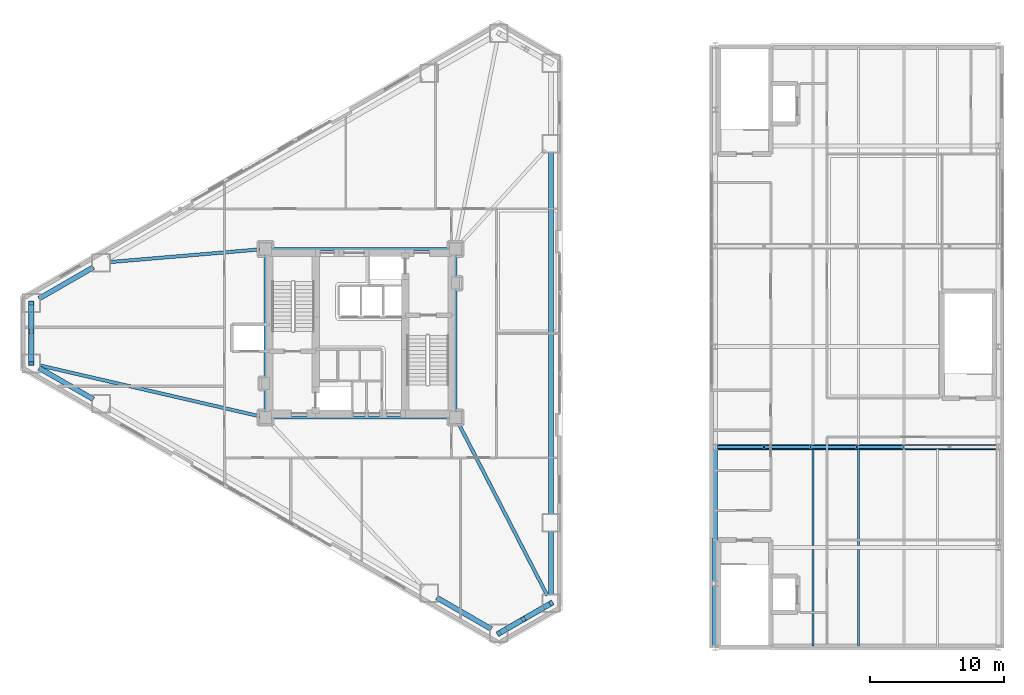
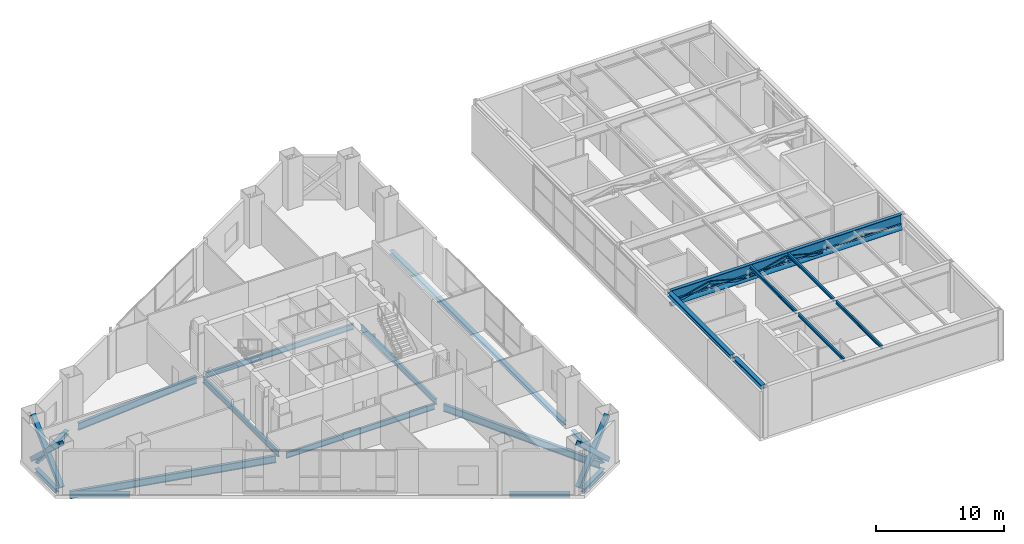
# One storey, part 6 of 27: 21 beams, 11 members.
"""IFC4 building model written with IfcOpenShell, lengths in metres."""

from ifc_helpers import new_model, si_unit, direction, frame, origin, origin_2d, place, context, subcontext, project, spatial, hollow_rectangle, hollow_circle, i_section, extrude, material, material_profile, profile_set, type_object, element, save


model = new_model("IFC4")

# Units and contexts
model_context = context("Model", 3, precision=1e-05, world=origin(), true_north=direction((0.0, 1.0)))
body_context = subcontext(model_context, "Body", "Model", "MODEL_VIEW")
ifc_project = project(units=[si_unit("LENGTHUNIT", "METRE"), si_unit("AREAUNIT", "SQUARE_METRE"), si_unit("VOLUMEUNIT", "CUBIC_METRE"), si_unit("PLANEANGLEUNIT", "RADIAN"), si_unit("MASSUNIT", "GRAM", prefix="KILO")], contexts=[model_context])

# Site, building, storey
site_placement = place(None, origin())
site = spatial("IfcSite", under=ifc_project, at=site_placement, CompositionType="ELEMENT")
building_placement = place(site_placement, origin())
building = spatial("IfcBuilding", under=site, at=building_placement, Name="Mersakhor Tower and Convention Hall", CompositionType="ELEMENT")
storey_placement = place(building_placement, frame((0.0, 0.0, 14.39990234375)))
storey = spatial("IfcBuildingStorey", under=building, at=storey_placement, Name="L03", CompositionType="ELEMENT", Elevation=14.39990234375)

# Beams
ifc_material_1 = material(Name="Steel S355", Category="steel")
ifc_material_profile_1 = material_profile(ifc_material_1, i_section(OverallWidth=0.2099609375, OverallDepth=0.53662109375, WebThickness=0.0107421875, FlangeThickness=0.017333984375, at=origin_2d()), Name="UB 533x210x101")
ifc_profile_set_1 = profile_set([ifc_material_profile_1], Name="Steel S355")
beam_type_1 = type_object("IfcBeamType", Name="BM-FB-533", PredefinedType="BEAM", material=ifc_profile_set_1)
beam_1_placement = place(storey_placement, frame((21.89990234375, 20.8798828125, -0.588134765625), z_axis=(0.0, 1.0, 0.0), x_axis=(-1.0, 0.0, 0.0)))
element("IfcBeam", 1, at=beam_1_placement, inside=storey, type_object=beam_type_1, Name="L03 Core Ring Tie Beam CRB-1", PredefinedType="BEAM", context=body_context, shape_type="SweptSolid", body=[
    extrude(i_section(OverallWidth=0.2099609375, OverallDepth=0.53662109375, WebThickness=0.0107421875, FlangeThickness=0.017333984375, at=origin_2d()), origin(), (0.0, 0.0, 1.0), 11.740234375),
])
beam_2_placement = place(storey_placement, frame((22.330078125, 33.050048828125, -0.588134765625), z_axis=(1.0, 0.0, 0.0), x_axis=(0.0, 1.0, 0.0)))
element("IfcBeam", 2, at=beam_2_placement, inside=storey, type_object=beam_type_1, Name="L03 Core Ring Tie Beam CRB-2", PredefinedType="BEAM", context=body_context, shape_type="SweptSolid", body=[
    extrude(i_section(OverallWidth=0.2099609375, OverallDepth=0.53662109375, WebThickness=0.0107421875, FlangeThickness=0.017333984375, at=origin_2d()), origin(), (0.0, 0.0, 1.0), 13.33984375),
])
beam_3_placement = place(storey_placement, frame((36.10009765625, 32.6201171875, -0.588134765625), z_axis=(0.0, -1.0, 0.0), x_axis=(1.0, 0.0, 0.0)))
element("IfcBeam", 3, at=beam_3_placement, inside=storey, type_object=beam_type_1, Name="L03 Core Ring Tie Beam CRB-3", PredefinedType="BEAM", context=body_context, shape_type="SweptSolid", body=[
    extrude(i_section(OverallWidth=0.2099609375, OverallDepth=0.53662109375, WebThickness=0.0107421875, FlangeThickness=0.017333984375, at=origin_2d()), origin(), (0.0, 0.0, 1.0), 11.740234375),
])
beam_4_placement = place(storey_placement, frame((35.669921875, 20.449951171875, -0.588134765625), z_axis=(-1.0, 0.0, 0.0), x_axis=(0.0, -1.0, 0.0)))
element("IfcBeam", 4, at=beam_4_placement, inside=storey, type_object=beam_type_1, Name="L03 Core Ring Tie Beam CRB-4", PredefinedType="BEAM", context=body_context, shape_type="SweptSolid", body=[
    extrude(i_section(OverallWidth=0.2099609375, OverallDepth=0.53662109375, WebThickness=0.0107421875, FlangeThickness=0.017333984375, at=origin_2d()), origin(), (0.0, 0.0, 1.0), 13.33984375),
])
ifc_material_2 = material(Name="Steel S355", Category="steel")
ifc_material_profile_2 = material_profile(ifc_material_2, i_section(OverallWidth=0.165771484375, OverallDepth=0.306640625, WebThickness=0.006591796875, FlangeThickness=0.01171875, at=origin_2d()), Name="UB 305x165x46")
ifc_profile_set_2 = profile_set([ifc_material_profile_2], Name="Steel S355")
beam_type_2 = type_object("IfcBeamType", Name="BM-JST-305", PredefinedType="JOIST", material=ifc_profile_set_2)
for number, where, z_axis, x_axis, name in (
    (5, (62.800048828125, 3.40380859375, 4.646728515625), (0.0, 1.0, 0.0), (-1.0, 0.0, 0.0), "Convention L03 Composite Floor Joist CJ-1-62"),
    (6, (66.199951171875, 3.40380859375, 4.646728515625), (0.0, 1.0, 0.0), (-1.0, 0.0, 0.0), "Convention L03 Composite Floor Joist CJ-1-66"),
    (7, (62.800048828125, 10.90380859375, 4.646728515625), (0.0, 1.0, 0.0), (-1.0, 0.0, 0.0), "Convention L03 Composite Floor Joist CJ-2-62"),
    (8, (66.199951171875, 10.90380859375, 4.646728515625), (0.0, 1.0, 0.0), (-1.0, 0.0, 0.0), "Convention L03 Composite Floor Joist CJ-2-66"),
):
    element("IfcBeam", number, at=place(storey_placement, frame(where, z_axis=z_axis, x_axis=x_axis)), inside=storey, type_object=beam_type_2, Name=name, PredefinedType="JOIST", context=body_context, shape_type="SweptSolid", body=[
        extrude(i_section(OverallWidth=0.165771484375, OverallDepth=0.306640625, WebThickness=0.006591796875, FlangeThickness=0.01171875, at=origin_2d()), origin(), (0.0, 0.0, 1.0), 7.1923828125),
    ])
ifc_material_3 = material(Name="Steel S355", Category="steel")
ifc_material_profile_3 = material_profile(ifc_material_3, i_section(OverallWidth=0.25439453125, OverallDepth=0.6875, WebThickness=0.01318359375, FlangeThickness=0.02099609375, at=origin_2d()), Name="UB 686x254x152")
ifc_profile_set_3 = profile_set([ifc_material_profile_3], Name="Steel S355")
beam_type_3 = type_object("IfcBeamType", Name="BM-PR-686", PredefinedType="BEAM", material=ifc_profile_set_3)
beam_5_placement = place(storey_placement, frame((21.471435546875, 33.013916015625, -0.66357421875), z_axis=(-0.996458345442, -0.084087845732, 0.0), x_axis=(0.084087845732, -0.996458345442, 0.0)))
element("IfcBeam", 9, at=beam_5_placement, inside=storey, type_object=beam_type_3, Name="L03 Primary Floor Girder FG-1", PredefinedType="BEAM", context=body_context, shape_type="SweptSolid", body=[
    extrude(i_section(OverallWidth=0.25439453125, OverallDepth=0.6875, WebThickness=0.01318359375, FlangeThickness=0.02099609375, at=origin_2d()), origin(), (0.0, 0.0, 1.0), 11.241943359375),
])
beam_6_placement = place(storey_placement, frame((36.297119140625, 20.06787109375, -0.66357421875), z_axis=(0.458368239331, -0.888762373851, 0.0), x_axis=(0.888762373851, 0.458368239331, 0.0)))
element("IfcBeam", 10, at=beam_6_placement, inside=storey, type_object=beam_type_3, Name="L03 Primary Floor Girder FG-4", PredefinedType="BEAM", context=body_context, shape_type="SweptSolid", body=[
    extrude(i_section(OverallWidth=0.25439453125, OverallDepth=0.6875, WebThickness=0.01318359375, FlangeThickness=0.02099609375, at=origin_2d()), origin(), (0.0, 0.0, 1.0), 14.513671875),
])
beam_7_placement = place(storey_placement, frame((21.48095703125, 20.546875, -0.66357421875), z_axis=(-0.974327224334, 0.225136536175, 0.0), x_axis=(-0.225136536175, -0.974327224334, 0.0)))
element("IfcBeam", 11, at=beam_7_placement, inside=storey, type_object=beam_type_3, Name="L03 Primary Floor Girder FG-6", PredefinedType="BEAM", context=body_context, shape_type="SweptSolid", body=[
    extrude(i_section(OverallWidth=0.25439453125, OverallDepth=0.6875, WebThickness=0.01318359375, FlangeThickness=0.02099609375, at=origin_2d()), origin(), (0.0, 0.0, 1.0), 16.862548828125),
])
ifc_material_4 = material(Name="Steel S355", Category="steel")
ifc_material_profile_4 = material_profile(ifc_material_4, i_section(OverallWidth=0.3076171875, OverallDepth=0.926513671875, WebThickness=0.01953125, FlangeThickness=0.031982421875, at=origin_2d()), Name="UB 914x305x289")
ifc_profile_set_4 = profile_set([ifc_material_profile_4], Name="Steel S355")
beam_type_4 = type_object("IfcBeamType", Name="BM-PR-914", PredefinedType="BEAM", material=ifc_profile_set_4)
beam_8_placement = place(storey_placement, frame((55.679931640625, 18.25, 4.3369140625), z_axis=(1.0, 0.0, 0.0), x_axis=(0.0, 1.0, 0.0)))
element("IfcBeam", 12, at=beam_8_placement, inside=storey, type_object=beam_type_4, Name="Convention L03 Clear-Span Girder CG-3", PredefinedType="BEAM", context=body_context, shape_type="SweptSolid", body=[
    extrude(i_section(OverallWidth=0.3076171875, OverallDepth=0.926513671875, WebThickness=0.01953125, FlangeThickness=0.031982421875, at=origin_2d()), origin(), (0.0, 0.0, 1.0), 20.7900390625),
])
ifc_material_5 = material(Name="Steel S355", Category="steel")
ifc_material_profile_5 = material_profile(ifc_material_5, i_section(OverallWidth=0.374755859375, OverallDepth=0.37451171875, WebThickness=0.0166015625, FlangeThickness=0.027099609375, at=origin_2d()), Name="UC 356x368x202")
ifc_profile_set_5 = profile_set([ifc_material_profile_5], Name="Steel S355")
beam_type_5 = type_object("IfcBeamType", Name="BM-SPD-UC356", PredefinedType="SPANDREL", material=ifc_profile_set_5)
beam_9_placement = place(storey_placement, frame((4.980224609375, 29.3369140625, -0.50732421875), z_axis=(0.86605407247, 0.499950341091, 0.0), x_axis=(-0.499950341091, 0.86605407247, 0.0)))
element("IfcBeam", 13, at=beam_9_placement, inside=storey, type_object=beam_type_5, Name="L03 Perimeter Spandrel Beam SPB-01", PredefinedType="SPANDREL", context=body_context, shape_type="SweptSolid", body=[
    extrude(i_section(OverallWidth=0.374755859375, OverallDepth=0.37451171875, WebThickness=0.0166015625, FlangeThickness=0.027099609375, at=origin_2d()), origin(), (0.0, 0.0, 1.0), 4.69873046875),
])
beam_10_placement = place(storey_placement, frame((43.25, 40.24951171875, -0.50732421875), z_axis=(0.0, -1.0, 0.0), x_axis=(1.0, 0.0, 0.0)))
element("IfcBeam", 14, at=beam_10_placement, inside=storey, type_object=beam_type_5, Name="L03 Perimeter Spandrel Beam SPB-06", PredefinedType="SPANDREL", context=body_context, shape_type="SweptSolid", body=[
    extrude(i_section(OverallWidth=0.374755859375, OverallDepth=0.37451171875, WebThickness=0.0166015625, FlangeThickness=0.027099609375, at=origin_2d()), origin(), (0.0, 0.0, 1.0), 26.9990234375),
])
beam_11_placement = place(storey_placement, frame((43.25, 11.9404296875, -0.50732421875), z_axis=(0.0, -1.0, 0.0), x_axis=(1.0, 0.0, 0.0)))
element("IfcBeam", 15, at=beam_11_placement, inside=storey, type_object=beam_type_5, Name="L03 Perimeter Spandrel Beam SPB-07", PredefinedType="SPANDREL", context=body_context, shape_type="SweptSolid", body=[
    extrude(i_section(OverallWidth=0.374755859375, OverallDepth=0.37451171875, WebThickness=0.0166015625, FlangeThickness=0.027099609375, at=origin_2d()), origin(), (0.0, 0.0, 1.0), 4.69873046875),
])
beam_12_placement = place(storey_placement, frame((42.682861328125, 6.25927734375, -0.50732421875), z_axis=(-0.866038607556, -0.4999771297, 0.0), x_axis=(0.4999771297, -0.866038607556, 0.0)))
element("IfcBeam", 16, at=beam_12_placement, inside=storey, type_object=beam_type_5, Name="L03 Perimeter Spandrel Beam SPB-08", PredefinedType="SPANDREL", context=body_context, shape_type="SweptSolid", body=[
    extrude(i_section(OverallWidth=0.374755859375, OverallDepth=0.37451171875, WebThickness=0.0166015625, FlangeThickness=0.027099609375, at=origin_2d()), origin(), (0.0, 0.0, 1.0), 3.208740234375),
])
for number, where, z_axis, x_axis, name in (
    (17, (38.769775390625, 4.655029296875, -0.50732421875), (-0.866031574723, 0.499989311469, 0.0), (-0.499989311469, -0.866031574723, 0.0), "L03 Perimeter Spandrel Beam SPB-09"),
    (18, (9.049560546875, 21.81396484375, -0.50732421875), (-0.86605407247, 0.499950341091, 0.0), (-0.499950341091, -0.86605407247, 0.0), "L03 Perimeter Spandrel Beam SPB-11"),
):
    element("IfcBeam", number, at=place(storey_placement, frame(where, z_axis=z_axis, x_axis=x_axis)), inside=storey, type_object=beam_type_5, Name=name, PredefinedType="SPANDREL", context=body_context, shape_type="SweptSolid", body=[
        extrude(i_section(OverallWidth=0.374755859375, OverallDepth=0.37451171875, WebThickness=0.0166015625, FlangeThickness=0.027099609375, at=origin_2d()), origin(), (0.0, 0.0, 1.0), 4.69873046875),
    ])
beam_13_placement = place(storey_placement, frame((4.4130859375, 25.145751953125, -0.50732421875), z_axis=(0.0, 1.0, 0.0), x_axis=(-1.0, 0.0, 0.0)))
element("IfcBeam", 19, at=beam_13_placement, inside=storey, type_object=beam_type_5, Name="L03 Perimeter Spandrel Beam SPB-12", PredefinedType="SPANDREL", context=body_context, shape_type="SweptSolid", body=[
    extrude(i_section(OverallWidth=0.374755859375, OverallDepth=0.37451171875, WebThickness=0.0166015625, FlangeThickness=0.027099609375, at=origin_2d()), origin(), (0.0, 0.0, 1.0), 3.20849609375),
])
beam_14_placement = place(storey_placement, frame((55.5, 3.429931640625, 4.613037109375), z_axis=(0.0, 1.0, 0.0), x_axis=(-1.0, 0.0, 0.0)))
element("IfcBeam", 20, at=beam_14_placement, inside=storey, type_object=beam_type_5, Name="Convention L03 Edge Spandrel W1", PredefinedType="SPANDREL", context=body_context, shape_type="SweptSolid", body=[
    extrude(i_section(OverallWidth=0.374755859375, OverallDepth=0.37451171875, WebThickness=0.0166015625, FlangeThickness=0.027099609375, at=origin_2d()), origin(), (0.0, 0.0, 1.0), 4.440185546875),
])
beam_15_placement = place(storey_placement, frame((55.5, 8.22998046875, 4.613037109375), z_axis=(0.0, 1.0, 0.0), x_axis=(-1.0, 0.0, 0.0)))
element("IfcBeam", 21, at=beam_15_placement, inside=storey, type_object=beam_type_5, Name="Convention L03 Edge Spandrel W2", PredefinedType="SPANDREL", context=body_context, shape_type="SweptSolid", body=[
    extrude(i_section(OverallWidth=0.374755859375, OverallDepth=0.37451171875, WebThickness=0.0166015625, FlangeThickness=0.027099609375, at=origin_2d()), origin(), (0.0, 0.0, 1.0), 9.840087890625),
])

# Members
ifc_material_6 = material(Name="Steel S355", Category="steel")
ifc_material_profile_6 = material_profile(ifc_material_6, hollow_rectangle(XDim=0.25, YDim=0.25, WallThickness=0.01611328125, at=origin_2d()), Name="SHS 250x250x16")
ifc_profile_set_6 = profile_set([ifc_material_profile_6], Name="Steel S355")
member_type_1 = type_object("IfcMemberType", Name="MB-BRC-SHS250", PredefinedType="BRACE", material=ifc_profile_set_6)
for number, where, z_axis, x_axis, name in (
    (22, (55.679931640625, 18.25, 3.4501953125), (0.968782501118, 0.0, 0.247912213349), (0.0, 1.0, 0.0), "Convention L03 Truss Web Diagonal TD-3-1"),
    (23, (59.14501953125, 18.25, 4.3369140625), (0.968782501118, 0.0, -0.247912213349), (0.0, 1.0, 0.0), "Convention L03 Truss Web Diagonal TD-3-2"),
):
    element("IfcMember", number, at=place(storey_placement, frame(where, z_axis=z_axis, x_axis=x_axis)), inside=storey, type_object=member_type_1, Name=name, PredefinedType="BRACE", context=body_context, shape_type="SweptSolid", body=[
        extrude(hollow_rectangle(XDim=0.25, YDim=0.25, WallThickness=0.01611328125, at=origin_2d()), origin(), (0.0, 0.0, 1.0), 3.57666015625),
    ])
member_1_placement = place(storey_placement, frame((62.610107421875, 18.25, 3.4501953125), z_axis=(0.968778305548, 0.0, 0.247928608071), x_axis=(0.0, 1.0, 0.0)))
element("IfcMember", 24, at=member_1_placement, inside=storey, type_object=member_type_1, Name="Convention L03 Truss Web Diagonal TD-3-3", PredefinedType="BRACE", context=body_context, shape_type="SweptSolid", body=[
    extrude(hollow_rectangle(XDim=0.25, YDim=0.25, WallThickness=0.01611328125, at=origin_2d()), origin(), (0.0, 0.0, 1.0), 3.576416015625),
])
member_2_placement = place(storey_placement, frame((66.074951171875, 18.25, 4.3369140625), z_axis=(0.968782501118, 0.0, -0.247912213349), x_axis=(0.0, 1.0, 0.0)))
element("IfcMember", 25, at=member_2_placement, inside=storey, type_object=member_type_1, Name="Convention L03 Truss Web Diagonal TD-3-4", PredefinedType="BRACE", context=body_context, shape_type="SweptSolid", body=[
    extrude(hollow_rectangle(XDim=0.25, YDim=0.25, WallThickness=0.01611328125, at=origin_2d()), origin(), (0.0, 0.0, 1.0), 3.57666015625),
])
ifc_material_7 = material(Name="Steel S460", Category="steel")
ifc_material_profile_7 = material_profile(ifc_material_7, hollow_rectangle(XDim=0.39990234375, YDim=0.39990234375, WallThickness=0.02490234375, at=origin_2d()), Name="SHS 400x400x25")
ifc_profile_set_7 = profile_set([ifc_material_profile_7], Name="Steel S460")
member_type_2 = type_object("IfcMemberType", Name="MB-BRC-SHS400", PredefinedType="BRACE", material=ifc_profile_set_7)
member_3_placement = place(storey_placement, frame((43.25, 6.586669921875, 0.150146484375), z_axis=(-0.632917613168, -0.36542423211, 0.682554338883), x_axis=(0.500009315796, -0.86602002524, 0.0)))
element("IfcMember", 26, at=member_3_placement, inside=storey, type_object=member_type_2, Name="L03 Chamfer Braced Frame Diagonal CB-2A", PredefinedType="BRACE", context=body_context, shape_type="SweptSolid", body=[
    extrude(hollow_rectangle(XDim=0.39990234375, YDim=0.39990234375, WallThickness=0.02490234375, at=origin_2d()), origin(), (0.0, 0.0, 1.0), 6.1826171875),
])
member_4_placement = place(storey_placement, frame((39.3369140625, 4.327392578125, 0.150146484375), z_axis=(0.632964068528, 0.36543215891, 0.682507014753), x_axis=(-0.499989926711, 0.866031219522, 0.0)))
element("IfcMember", 27, at=member_4_placement, inside=storey, type_object=member_type_2, Name="L03 Chamfer Braced Frame Diagonal CB-2B Lower Half", PredefinedType="BRACE", context=body_context, shape_type="SweptSolid", body=[
    extrude(hollow_rectangle(XDim=0.39990234375, YDim=0.39990234375, WallThickness=0.02490234375, at=origin_2d()), origin(), (0.0, 0.0, 1.0), 2.8828125),
])
member_5_placement = place(storey_placement, frame((41.42529296875, 5.533203125, 2.40234375), z_axis=(0.632927483665, 0.365411037197, 0.682552250246), x_axis=(-0.499989926711, 0.866031219522, 0.0)))
element("IfcMember", 28, at=member_5_placement, inside=storey, type_object=member_type_2, Name="L03 Chamfer Braced Frame Diagonal CB-2B Upper Half", PredefinedType="BRACE", context=body_context, shape_type="SweptSolid", body=[
    extrude(hollow_rectangle(XDim=0.39990234375, YDim=0.39990234375, WallThickness=0.02490234375, at=origin_2d()), origin(), (0.0, 0.0, 1.0), 2.883056640625),
])
member_6_placement = place(storey_placement, frame((4.4130859375, 24.49072265625, 0.150146484375), z_axis=(0.0, 0.730841191224, 0.682547546483), x_axis=(-1.0, 0.0, 0.0)))
element("IfcMember", 29, at=member_6_placement, inside=storey, type_object=member_type_2, Name="L03 Chamfer Braced Frame Diagonal CB-3A", PredefinedType="BRACE", context=body_context, shape_type="SweptSolid", body=[
    extrude(hollow_rectangle(XDim=0.39990234375, YDim=0.39990234375, WallThickness=0.02490234375, at=origin_2d()), origin(), (0.0, 0.0, 1.0), 6.1826171875),
])
for number, where, z_axis, x_axis, name in (
    (30, (4.4130859375, 29.00927734375, 0.150146484375), (0.0, -0.730872183418, 0.682514359926), (1.0, 0.0, 0.0), "L03 Chamfer Braced Frame Diagonal CB-3B Lower Half"),
    (31, (4.4130859375, 26.59765625, 2.40234375), (0.0, -0.730829938628, 0.682559595057), (1.0, 0.0, 0.0), "L03 Chamfer Braced Frame Diagonal CB-3B Upper Half"),
):
    element("IfcMember", number, at=place(storey_placement, frame(where, z_axis=z_axis, x_axis=x_axis)), inside=storey, type_object=member_type_2, Name=name, PredefinedType="BRACE", context=body_context, shape_type="SweptSolid", body=[
        extrude(hollow_rectangle(XDim=0.39990234375, YDim=0.39990234375, WallThickness=0.02490234375, at=origin_2d()), origin(), (0.0, 0.0, 1.0), 2.8828125),
    ])
ifc_material_8 = material(Name="Steel S355", Category="steel")
ifc_material_profile_8 = material_profile(ifc_material_8, hollow_circle(Radius=0.203125, WallThickness=0.02490234375, at=origin_2d()), Name="CHS 406.4x25")
ifc_profile_set_8 = profile_set([ifc_material_profile_8], Name="Steel S355")
member_type_3 = type_object("IfcMemberType", Name="MB-CHD-CHS406", PredefinedType="CHORD", material=ifc_profile_set_8)
member_7_placement = place(storey_placement, frame((55.679931640625, 18.25, 3.4501953125), z_axis=(1.0, 0.0, 0.0), x_axis=(0.0, 1.0, 0.0)))
element("IfcMember", 32, at=member_7_placement, inside=storey, type_object=member_type_3, Name="Convention L03 Long-Span Truss Bottom Chord TC-3", PredefinedType="CHORD", context=body_context, shape_type="SweptSolid", body=[
    extrude(hollow_circle(Radius=0.203125, WallThickness=0.02490234375, at=origin_2d()), origin(), (0.0, 0.0, 1.0), 20.7900390625),
])

save(model, "model.ifc")
